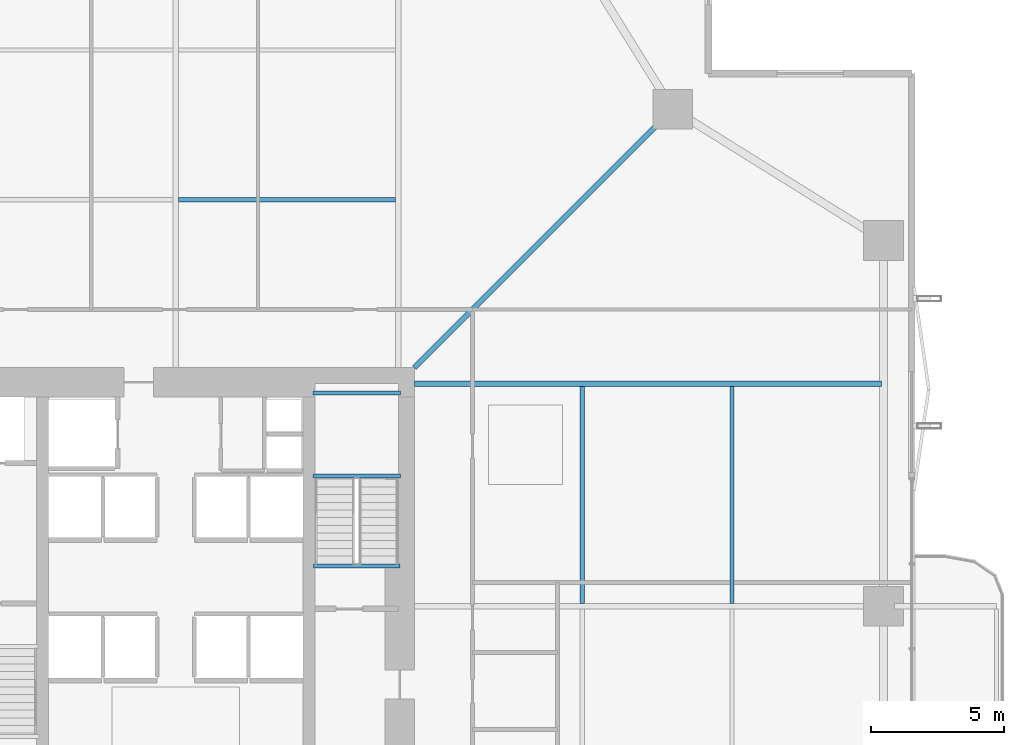
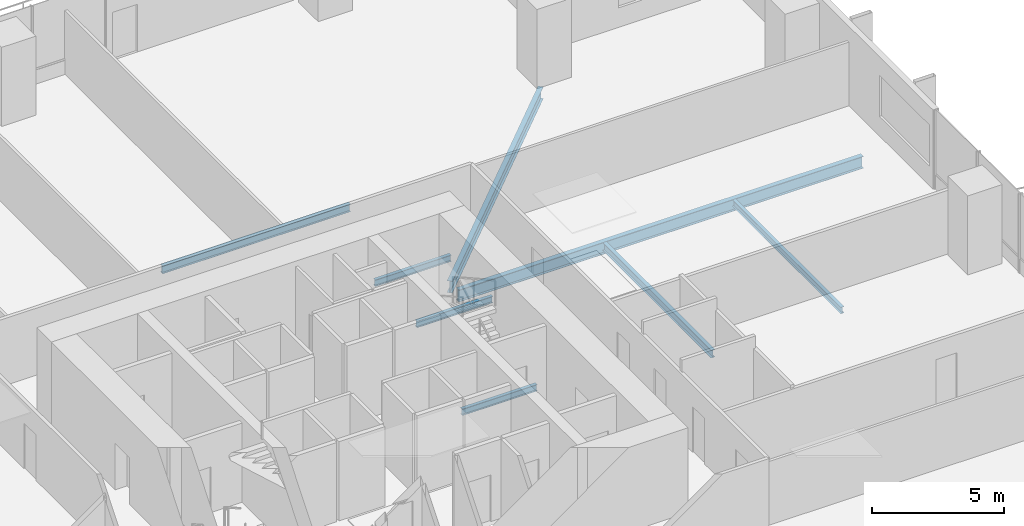
# One storey, part 12 of 23: 8 beams.
"""IFC4 building model written with IfcOpenShell, lengths in metres."""

from ifc_helpers import new_model, si_unit, direction, frame, origin, origin_2d, place, context, subcontext, project, spatial, i_section, extrude, material, material_profile, profile_set, type_object, element, save


model = new_model("IFC4")

# Units and contexts
model_context = context("Model", 3, precision=1e-05, world=origin(), true_north=direction((0.0, 1.0)))
body_context = subcontext(model_context, "Body", "Model", "MODEL_VIEW")
ifc_project = project(units=[si_unit("LENGTHUNIT", "METRE"), si_unit("AREAUNIT", "SQUARE_METRE"), si_unit("VOLUMEUNIT", "CUBIC_METRE"), si_unit("PLANEANGLEUNIT", "RADIAN"), si_unit("MASSUNIT", "GRAM", prefix="KILO")], contexts=[model_context])

# Site, building, storey
site_placement = place(None, origin())
site = spatial("IfcSite", under=ifc_project, at=site_placement, CompositionType="ELEMENT")
building_placement = place(site_placement, origin())
building = spatial("IfcBuilding", under=site, at=building_placement, Name="Belovzor Exchange Tower", CompositionType="ELEMENT")
storey_placement = place(building_placement, frame((0.0, 0.0, 100.199951171875)))
storey = spatial("IfcBuildingStorey", under=building, at=storey_placement, Name="L24", CompositionType="ELEMENT", Elevation=100.199951171875)

# Beams
ifc_material_1 = material(Name="Steel S355", Category="steel")
ifc_material_profile_1 = material_profile(ifc_material_1, i_section(OverallWidth=0.169921875, OverallDepth=0.360107421875, WebThickness=0.008056640625, FlangeThickness=0.0126953125, at=origin_2d()))
ifc_profile_set_1 = profile_set([ifc_material_profile_1], Name="Steel S355")
beam_type_1 = type_object("IfcBeamType", Name="Secondary Infill Floor Joist IPE 360", PredefinedType="BEAM", material=ifc_profile_set_1)
for number, where, z_axis, x_axis, name in (
    (1, (28.905029296875, 44.14501953125, -0.429931640625), (1.0, 0.0, 0.0), (0.0, 1.0, 0.0), "FJ-360 Secondary Infill Floor Joist IPE 360"),
    (2, (44.14501953125, 28.905029296875, -0.429931640625), (0.0, 1.0, 0.0), (-1.0, 0.0, 0.0), "FJ-360 Secondary Infill Floor Joist IPE 360"),
):
    element("IfcBeam", number, at=place(storey_placement, frame(where, z_axis=z_axis, x_axis=x_axis)), inside=storey, type_object=beam_type_1, Name=name, PredefinedType="BEAM", context=body_context, shape_type="SweptSolid", body=[
        extrude(i_section(OverallWidth=0.169921875, OverallDepth=0.360107421875, WebThickness=0.008056640625, FlangeThickness=0.0126953125, at=origin_2d()), origin(), (0.0, 0.0, 1.0), 8.18994140625),
    ])
ifc_material_2 = material(Name="Steel S355", Category="steel")
ifc_material_profile_2 = material_profile(ifc_material_2, i_section(OverallWidth=0.14990234375, OverallDepth=0.300048828125, WebThickness=0.007080078125, FlangeThickness=0.0107421875, at=origin_2d()))
ifc_profile_set_2 = profile_set([ifc_material_profile_2], Name="Steel S355")
beam_type_2 = type_object("IfcBeamType", Name="Secondary Trim Floor Joist IPE 300", PredefinedType="BEAM", material=ifc_profile_set_2)
for number, where, z_axis, x_axis, name in (
    (3, (37.280029296875, 33.7099609375, 1.60009765625), (-1.0, 0.0, 0.0), (0.0, -1.0, 0.0), "FJ-300 Secondary Trim Floor Joist IPE 300"),
    (4, (37.280029296875, 36.85009765625, 1.60009765625), (-1.0, 0.0, 0.0), (0.0, -1.0, 0.0), "FJ-300 Secondary Trim Floor Joist IPE 300"),
):
    element("IfcBeam", number, at=place(storey_placement, frame(where, z_axis=z_axis, x_axis=x_axis)), inside=storey, type_object=beam_type_2, Name=name, PredefinedType="BEAM", context=body_context, shape_type="SweptSolid", body=[
        extrude(i_section(OverallWidth=0.14990234375, OverallDepth=0.300048828125, WebThickness=0.007080078125, FlangeThickness=0.0107421875, at=origin_2d()), origin(), (0.0, 0.0, 1.0), 3.31005859375),
    ])
beam_1_placement = place(storey_placement, frame((37.260009765625, 30.320068359375, -0.39990234375), z_axis=(-1.0, 0.0, 0.0), x_axis=(0.0, -1.0, 0.0)))
element("IfcBeam", 5, at=beam_1_placement, inside=storey, type_object=beam_type_2, Name="FJ-300 Secondary Trim Floor Joist IPE 300", PredefinedType="BEAM", context=body_context, shape_type="SweptSolid", body=[
    extrude(i_section(OverallWidth=0.14990234375, OverallDepth=0.300048828125, WebThickness=0.007080078125, FlangeThickness=0.0107421875, at=origin_2d()), origin(), (0.0, 0.0, 1.0), 3.27001953125),
])
beam_2_placement = place(storey_placement, frame((49.784912109375, 28.905029296875, -0.39990234375), z_axis=(0.0, 1.0, 0.0), x_axis=(-1.0, 0.0, 0.0)))
element("IfcBeam", 6, at=beam_2_placement, inside=storey, type_object=beam_type_2, Name="FJ-300 Secondary Trim Floor Joist IPE 300", PredefinedType="BEAM", context=body_context, shape_type="SweptSolid", body=[
    extrude(i_section(OverallWidth=0.14990234375, OverallDepth=0.300048828125, WebThickness=0.007080078125, FlangeThickness=0.0107421875, at=origin_2d()), origin(), (0.0, 0.0, 1.0), 8.18994140625),
])
ifc_material_3 = material(Name="Steel S355", Category="steel")
ifc_material_profile_3 = material_profile(ifc_material_3, i_section(OverallWidth=0.2099609375, OverallDepth=0.550048828125, WebThickness=0.010986328125, FlangeThickness=0.01708984375, at=origin_2d()))
ifc_profile_set_3 = profile_set([ifc_material_profile_3], Name="Steel S355")
beam_type_3 = type_object("IfcBeamType", Name="Zone 1 Radial Composite Floor Beam IPE 550", PredefinedType="BEAM", material=ifc_profile_set_3)
beam_3_placement = place(storey_placement, frame((37.800048828125, 37.199951171875, -0.52490234375), z_axis=(1.0, 0.0, 0.0), x_axis=(0.0, 1.0, 0.0)))
element("IfcBeam", 7, at=beam_3_placement, inside=storey, type_object=beam_type_3, Name="FB-550 Zone 1 Radial Composite Floor Beam IPE 550", PredefinedType="BEAM", context=body_context, shape_type="SweptSolid", body=[
    extrude(i_section(OverallWidth=0.2099609375, OverallDepth=0.550048828125, WebThickness=0.010986328125, FlangeThickness=0.01708984375, at=origin_2d()), origin(), (0.0, 0.0, 1.0), 17.625),
])
beam_4_placement = place(storey_placement, frame((37.800048828125, 37.800048828125, -0.52490234375), z_axis=(0.707106781187, 0.707106781187, 0.0), x_axis=(-0.707106781187, 0.707106781187, 0.0)))
element("IfcBeam", 8, at=beam_4_placement, inside=storey, type_object=beam_type_3, Name="FB-550 Zone 1 Radial Composite Floor Beam IPE 550", PredefinedType="BEAM", context=body_context, shape_type="SweptSolid", body=[
    extrude(i_section(OverallWidth=0.2099609375, OverallDepth=0.550048828125, WebThickness=0.010986328125, FlangeThickness=0.01708984375, at=origin_2d()), origin(), (0.0, 0.0, 1.0), 13.25830078125),
])

save(model, "model.ifc")
